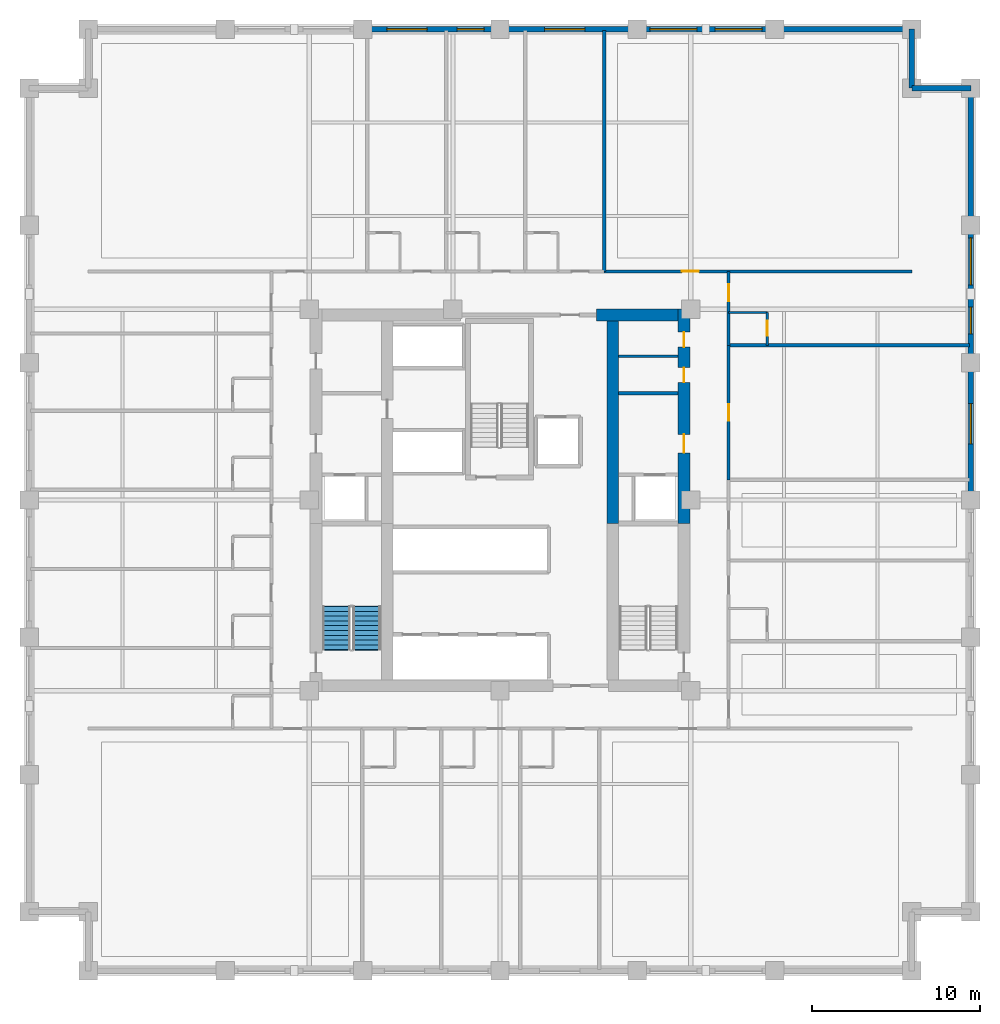
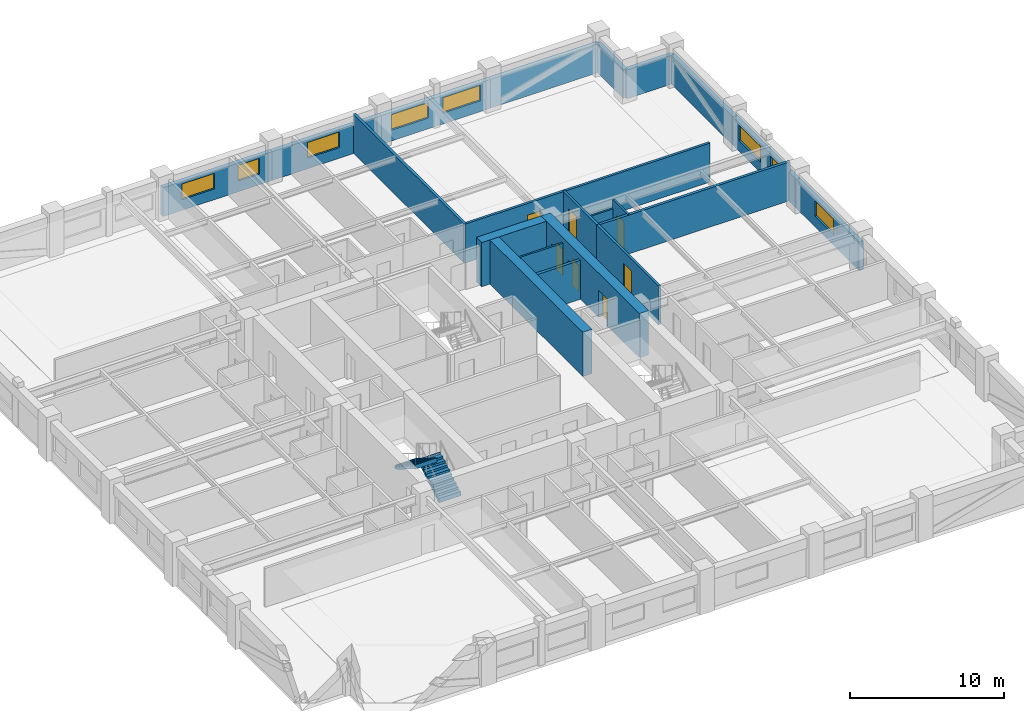
# One storey, part 6 of 12: 21 walls, 8 windows, 7 doors, 2 stair flights, 15 openings, 1 element without a shape of its own.
"""IFC4 building model written with IfcOpenShell, lengths in metres."""

import ifcopenshell
import ifcopenshell.guid

model = None  # the IFC model being written
_history = None  # IfcOwnerHistory: only IFC2X3 demands one
_inside = {}  # id of a spatial element -> (the spatial element, [elements in it])
_under = {}  # id of a project, library or spatial element -> (it, [spatial elements below it])
_declared = {}  # id of a project -> (the project, [libraries it declares])
_typed = {}  # id of a type object -> (the type object, [elements of that type])
_made_of = {}  # id of a material, layer set ... -> (it, [elements and type objects made of it])


def new_model(schema):
    """Start an empty IFC model of exactly this schema.

    Asked for "IFC4X3", IfcOpenShell would pick the latest addendum, in which some entities
    have other attributes; the version numbers below select the first issue.
    IFC2X3 requires an IfcOwnerHistory on every rooted entity: one is made here for all.
    """
    global model, _history
    if schema == "IFC4X3":
        model = ifcopenshell.file(schema_version=(4, 3, 0, 0))
    else:
        model = ifcopenshell.file(schema=schema)
    _inside.clear()
    _under.clear()
    _declared.clear()
    _typed.clear()
    _made_of.clear()
    _history = None
    if model.schema == "IFC2X3":
        org = make("IfcOrganization", Name="unknown")
        user = make(
            "IfcPersonAndOrganization",
            ThePerson=make("IfcPerson", FamilyName="unknown"),
            TheOrganization=org,
        )
        app = make(
            "IfcApplication",
            ApplicationDeveloper=org,
            Version="unknown",
            ApplicationFullName="unknown",
            ApplicationIdentifier="unknown",
        )
        _history = make(
            "IfcOwnerHistory",
            OwningUser=user,
            OwningApplication=app,
            ChangeAction="ADDED",
            CreationDate=0,
        )
    return model


def make(cls, **values):
    """One entity of the class cls with the attributes given. An attribute that is None is left unset."""
    return model.create_entity(
        cls, **{name: value for name, value in values.items() if value is not None}
    )


def rooted(cls, **values):
    """An entity with a GlobalId (a new one), such as an element, a storey or a relation."""
    return make(cls, GlobalId=ifcopenshell.guid.new(), OwnerHistory=_history, **values)


def si_unit(unit_type, name, prefix=None):
    """IfcSIUnit, for example si_unit("LENGTHUNIT", "METRE", prefix="MILLI")."""
    return make("IfcSIUnit", UnitType=unit_type, Prefix=prefix, Name=name)


def assignment(units):
    """IfcUnitAssignment: the units of a project."""
    return None if units is None else make("IfcUnitAssignment", Units=units)


def point(xyz):
    """IfcCartesianPoint."""
    return None if xyz is None else make("IfcCartesianPoint", Coordinates=xyz)


def direction(xyz):
    """IfcDirection."""
    return None if xyz is None else make("IfcDirection", DirectionRatios=xyz)


def frame(location, z_axis=None, x_axis=None):
    """IfcAxis2Placement3D, a coordinate frame: its origin and axes. An axis left out is left unset."""
    return make(
        "IfcAxis2Placement3D",
        Location=point(location),
        Axis=direction(z_axis),
        RefDirection=direction(x_axis),
    )


def frame_2d(location, x_axis=None):
    """IfcAxis2Placement2D, a coordinate frame in the plane: its origin and x axis."""
    return make(
        "IfcAxis2Placement2D", Location=point(location), RefDirection=direction(x_axis)
    )


def origin():
    """The frame at (0, 0, 0) with its axes left unset."""
    return frame((0.0, 0.0, 0.0))


def place(relative_to, where):
    """IfcLocalPlacement: puts the frame where relative to a parent placement (None: the world)."""
    return make(
        "IfcLocalPlacement", PlacementRelTo=relative_to, RelativePlacement=where
    )


def context(
    kind, dimensions, precision=None, world=None, true_north=None, identifier=None
):
    """IfcGeometricRepresentationContext, for example the 3D "Model" context."""
    return make(
        "IfcGeometricRepresentationContext",
        ContextIdentifier=identifier,
        ContextType=kind,
        CoordinateSpaceDimension=dimensions,
        Precision=precision,
        WorldCoordinateSystem=world,
        TrueNorth=true_north,
    )


def subcontext(parent, identifier, kind, view, scale=None):
    """IfcGeometricRepresentationSubContext, for example "Body" below "Model"."""
    return make(
        "IfcGeometricRepresentationSubContext",
        ContextIdentifier=identifier,
        ContextType=kind,
        ParentContext=parent,
        TargetScale=scale,
        TargetView=view,
    )


def project(units=None, contexts=None):
    """IfcProject with its units and contexts."""
    return rooted(
        "IfcProject",
        Name="project",
        RepresentationContexts=contexts,
        UnitsInContext=assignment(units),
    )


def spatial(cls, under=None, at=None, **own):
    """A site, building, storey or space (cls), placed at a placement, below another one or the project."""
    s = rooted(cls, ObjectPlacement=at, **own)
    if under is not None:
        _under.setdefault(under.id(), (under, []))[1].append(s)
    return s


def polyline(points):
    """IfcPolyline through the points."""
    return make("IfcPolyline", Points=[point(p) for p in points])


def profile(cls, at=None, kind="AREA", **sizes):
    """A parametric profile (cls). Its sizes go by their IFC names, for example OverallWidth=200.0."""
    return make(cls, ProfileType=kind, Position=at, **sizes)


def rectangle(**sizes):
    """IfcRectangleProfileDef."""
    return profile("IfcRectangleProfileDef", **sizes)


def outline(outer, holes=None, kind="AREA"):
    """IfcArbitraryClosedProfileDef: a profile drawn as a closed curve; with holes, ...WithVoids."""
    if holes is None:
        return make("IfcArbitraryClosedProfileDef", ProfileType=kind, OuterCurve=outer)
    return make(
        "IfcArbitraryProfileDefWithVoids",
        ProfileType=kind,
        OuterCurve=outer,
        InnerCurves=holes,
    )


def extrude(swept, where, along, depth):
    """IfcExtrudedAreaSolid: the profile swept, set in the frame where, extruded along a direction by depth."""
    return make(
        "IfcExtrudedAreaSolid",
        SweptArea=swept,
        Position=where,
        ExtrudedDirection=direction(along),
        Depth=depth,
    )


def shape(context_of_items, identifier, shape_type, items):
    """IfcShapeRepresentation: the items that make up one representation, for example the "Body"."""
    return make(
        "IfcShapeRepresentation",
        ContextOfItems=context_of_items,
        RepresentationIdentifier=identifier,
        RepresentationType=shape_type,
        Items=items,
    )


def material(Name=None, Category=None):
    """IfcMaterial."""
    return make("IfcMaterial", Name=Name, Category=Category)


def layer(
    of_material, thickness, ventilated=None, Name=None, Category=None, Priority=None
):
    """IfcMaterialLayer: one layer of a wall or slab, of a material (None: an air gap)."""
    return make(
        "IfcMaterialLayer",
        Material=of_material,
        LayerThickness=thickness,
        IsVentilated=ventilated,
        Name=Name,
        Category=Category,
        Priority=Priority,
    )


def layer_set(layers, Name=None):
    """IfcMaterialLayerSet."""
    return make("IfcMaterialLayerSet", MaterialLayers=layers, LayerSetName=Name)


def made_of(thing, what):
    """Note that an element or type object is made of a material, layer set ...; save() writes the relation."""
    if what is not None:
        _made_of.setdefault(what.id(), (what, []))[1].append(thing)
    return thing


def type_object(cls, material=None, **own):
    """A type object (cls), such as IfcWallType, which elements share."""
    return made_of(rooted(cls, **own), material)


def element(
    cls,
    number,
    at=None,
    inside=None,
    cuts=None,
    type_object=None,
    material=None,
    context=None,
    identifier="Body",
    shape_type=None,
    held_by="IfcProductDefinitionShape",
    body=None,
    shapes=None,
    **own,
):
    """One element of the class cls, such as IfcWall. Its Tag is "e" and its number.

    at: its placement. inside: the storey or other place that contains it. cuts: it is an
    opening in that element (IfcRelVoidsElement). A single representation is given by context,
    identifier, shape_type and body (its items); several are given by shapes. held_by: the class
    of the entity that holds the representations. save() writes the other relations.
    """
    e = rooted(cls, Tag="e%d" % number, ObjectPlacement=at, **own)
    if body is not None:
        shapes = [shape(context, identifier, shape_type, body)]
    if shapes is not None:
        e.Representation = make(held_by, Representations=shapes)
    if inside is not None:
        _inside.setdefault(inside.id(), (inside, []))[1].append(e)
    if cuts is not None:
        rooted(
            "IfcRelVoidsElement", RelatingBuildingElement=cuts, RelatedOpeningElement=e
        )
    if type_object is not None:
        _typed.setdefault(type_object.id(), (type_object, []))[1].append(e)
    return made_of(e, material)


def fill(opening, filler):
    """IfcRelFillsElement: the door or window that sits in an opening."""
    return rooted(
        "IfcRelFillsElement",
        RelatingOpeningElement=opening,
        RelatedBuildingElement=filler,
    )


def aggregate(whole, parts):
    """IfcRelAggregates: a whole, such as a stair, and the parts it consists of."""
    return rooted("IfcRelAggregates", RelatingObject=whole, RelatedObjects=parts)


def save(model, path):
    """Write the relations noted so far, then the file.

    IfcRelAggregates (storeys below a building ...), IfcRelContainedInSpatialStructure (elements
    in a storey), IfcRelDefinesByType, IfcRelAssociatesMaterial and IfcRelDeclares: one each for
    every whole, place, type object, material and project.
    """
    for whole, parts in _under.values():
        aggregate(whole, parts)
    for where, things in _inside.values():
        rooted(
            "IfcRelContainedInSpatialStructure",
            RelatedElements=things,
            RelatingStructure=where,
        )
    for kind, things in _typed.values():
        rooted("IfcRelDefinesByType", RelatedObjects=things, RelatingType=kind)
    for what, things in _made_of.values():
        rooted("IfcRelAssociatesMaterial", RelatedObjects=things, RelatingMaterial=what)
    for by, libraries in _declared.values():
        rooted("IfcRelDeclares", RelatingContext=by, RelatedDefinitions=libraries)
    model.write(path)


model = new_model("IFC4")

# Units and contexts
model_context = context("Model", 3, precision=1e-05, world=origin(), true_north=direction((0.0, 1.0)))
body_context = subcontext(model_context, "Body", "Model", "MODEL_VIEW")
ifc_project = project(units=[si_unit("LENGTHUNIT", "METRE"), si_unit("AREAUNIT", "SQUARE_METRE"), si_unit("VOLUMEUNIT", "CUBIC_METRE"), si_unit("PLANEANGLEUNIT", "RADIAN"), si_unit("MASSUNIT", "GRAM", prefix="KILO")], contexts=[model_context])

# Site, building, storey
site_placement = place(None, origin())
site = spatial("IfcSite", under=ifc_project, at=site_placement, CompositionType="ELEMENT")
building_placement = place(site_placement, origin())
building = spatial("IfcBuilding", under=site, at=building_placement, Name="Nhamokura Convention Tower", CompositionType="ELEMENT")
storey_placement = place(building_placement, frame((0.0, 0.0, 38.85009765625)))
storey = spatial("IfcBuildingStorey", under=building, at=storey_placement, Name="L07", CompositionType="ELEMENT", Elevation=38.85009765625)

# Walls
ifc_material_1 = material(Name="Moisture-resistant tile-backer partition", Category="masonry")
ifc_layer_1 = layer(ifc_material_1, 0.139892578125)
ifc_layer_set_1 = layer_set([ifc_layer_1], Name="BathroomWetWall_140")
wall_type_1 = type_object("IfcWallType", Name="BathroomWetWall_140", PredefinedType="STANDARD", material=ifc_layer_set_1)
wall_1_placement = place(storey_placement, frame((39.06005859375, 40.550048828125, 0.0), z_axis=(0.0, 0.0, 1.0), x_axis=(1.0, 0.0, 0.0)))
element("IfcWall", 1, at=wall_1_placement, inside=storey, type_object=wall_type_1, Name="L07 Wall INT-L07-CWNE", PredefinedType="STANDARD", context=body_context, shape_type="SweptSolid", body=[
    extrude(rectangle(XDim=3.530029296875, YDim=0.139892578125, at=frame_2d((1.76513671875, 0.0))), origin(), (0.0, 0.0, 1.0), 3.079833984375),
])
wall_2_placement = place(storey_placement, frame((45.60009765625, 43.14990234375, 0.0), z_axis=(0.0, 0.0, 1.0), x_axis=(1.0, 0.0, 0.0)))
element("IfcWall", 2, at=wall_2_placement, inside=storey, type_object=wall_type_1, Name="L07 Wall INT-L07-BW-E04N", PredefinedType="STANDARD", context=body_context, shape_type="SweptSolid", body=[
    extrude(rectangle(XDim=2.2998046875, YDim=0.139892578125, at=frame_2d((1.14990234375, 0.0))), origin(), (0.0, 0.0, 1.0), 2.375),
])

# Wall, opening, door
wall_3_placement = place(storey_placement, frame((47.89990234375, 41.199951171875, 0.0), z_axis=(0.0, 0.0, 1.0), x_axis=(0.0, 1.0, 0.0)))
wall_3 = element("IfcWall", 3, at=wall_3_placement, inside=storey, type_object=wall_type_1, Name="L07 Wall INT-L07-BW-E04E", PredefinedType="STANDARD", context=body_context, shape_type="SweptSolid", body=[
    extrude(rectangle(XDim=1.949951171875, YDim=0.139892578125, at=frame_2d((0.97509765625, 0.0))), origin(), (0.0, 0.0, 1.0), 3.079833984375),
])
opening_1_placement = place(wall_3_placement, frame((0.580078125, 0.0, 0.0)))
opening_1 = element("IfcOpeningElement", 4, at=opening_1_placement, cuts=wall_3, Name="Opening D-11", PredefinedType="OPENING", context=body_context, shape_type="SweptSolid", body=[
    extrude(rectangle(XDim=0.8798828125, YDim=2.10009765625, at=frame_2d((0.43994140625, 1.050048828125))), frame((0.0, 0.079833984375, 0.0), z_axis=(0.0, -1.0, 0.0), x_axis=(1.0, 0.0, 0.0)), (0.0, 0.0, 1.0), 0.159912109375),
])
ifc_material_2 = material(Name="Solid oak hardwood", Category="wood")
door_type_1 = type_object("IfcDoorType", Name="BathroomDoor_880", OperationType="NOTDEFINED", PredefinedType="DOOR", material=ifc_material_2)
door_1_placement = place(opening_1_placement, origin())
door_1 = element("IfcDoor", 5, at=door_1_placement, inside=storey, type_object=door_type_1, Name="L07 Guest Room En-suite Door", OperationType="SINGLE_SWING_LEFT", OverallHeight=2.10009765625, OverallWidth=0.8798828125, PredefinedType="DOOR", context=body_context, shape_type="SweptSolid", body=[
    extrude(rectangle(XDim=0.8798828125, YDim=2.10009765625, at=frame_2d((0.43994140625, 1.050048828125))), frame((0.0, 0.02490234375, 0.0), z_axis=(0.0, -1.0, 0.0), x_axis=(1.0, 0.0, 0.0)), (0.0, 0.0, 1.0), 0.050048828125),
])
fill(opening_1, door_1)

# Wall, openings, windows
ifc_material_3 = material(Name="Bronze-pigmented precast concrete C45/55", Category="concrete")
ifc_layer_2 = layer(ifc_material_3, 0.320068359375)
ifc_layer_set_2 = layer_set([ifc_layer_2], Name="BronzePrecastSpandrel_320")
wall_type_2 = type_object("IfcWallType", Name="BronzePrecastSpandrel_320", PredefinedType="USERDEFINED", material=ifc_layer_set_2)
wall_4_placement = place(storey_placement, frame((23.833251953125, 60.0, 0.0), z_axis=(0.0, 0.0, 1.0), x_axis=(1.0, 0.0, 0.0)))
wall_4 = element("IfcWall", 6, at=wall_4_placement, inside=storey, type_object=wall_type_2, Name="L07 Masonry-Frame Wall NORTH 2", ObjectType="SPANDREL_WALL", PredefinedType="USERDEFINED", context=body_context, shape_type="SweptSolid", body=[
    extrude(rectangle(XDim=8.166748046875, YDim=0.320068359375, at=frame_2d((4.08349609375, 0.0))), origin(), (0.0, 0.0, 1.0), 2.27978515625),
])
opening_2_placement = place(wall_4_placement, frame((1.433349609375, 0.0, 0.85009765625)))
opening_2 = element("IfcOpeningElement", 7, at=opening_2_placement, cuts=wall_4, Name="Opening W-03", PredefinedType="OPENING", context=body_context, shape_type="SweptSolid", body=[
    extrude(rectangle(XDim=2.39990234375, YDim=1.22998046875, at=frame_2d((1.199951171875, 0.614990234375))), frame((0.0, 0.169921875, 0.0), z_axis=(0.0, -1.0, 0.0), x_axis=(1.0, 0.0, 0.0)), (0.0, 0.0, 1.0), 0.340087890625),
])
opening_3_placement = place(wall_4_placement, frame((5.61669921875, 0.0, 0.85009765625)))
opening_3 = element("IfcOpeningElement", 8, at=opening_3_placement, cuts=wall_4, Name="Opening W-11", PredefinedType="OPENING", context=body_context, shape_type="SweptSolid", body=[
    extrude(rectangle(XDim=1.60009765625, YDim=1.22998046875, at=frame_2d((0.800048828125, 0.614990234375))), frame((0.0, 0.169921875, 0.0), z_axis=(0.0, -1.0, 0.0), x_axis=(1.0, 0.0, 0.0)), (0.0, 0.0, 1.0), 0.340087890625),
])
ifc_material_4 = material(Name="Solar-control bronze low-E double glass", Category="glass")
window_type_1 = type_object("IfcWindowType", Name="HotelBayWindow_2400", PartitioningType="DOUBLE_PANEL_VERTICAL", PredefinedType="WINDOW", material=ifc_material_4)
window_1_placement = place(opening_2_placement, origin())
window_1 = element("IfcWindow", 9, at=window_1_placement, inside=storey, type_object=window_type_1, Name="L07 Facade Window NORTH 2-1", OverallHeight=1.22998046875, OverallWidth=2.39990234375, PartitioningType="SINGLE_PANEL", PredefinedType="WINDOW", context=body_context, shape_type="SweptSolid", body=[
    extrude(rectangle(XDim=2.39990234375, YDim=1.22998046875, at=frame_2d((1.199951171875, 0.614990234375))), frame((0.0, 0.030029296875, 0.0), z_axis=(0.0, -1.0, 0.0), x_axis=(1.0, 0.0, 0.0)), (0.0, 0.0, 1.0), 0.06005859375),
])
fill(opening_2, window_1)
ifc_material_5 = material(Name="Solar-control bronze low-E double glass", Category="glass")
window_type_2 = type_object("IfcWindowType", Name="NotchCornerWindow_1600", PartitioningType="SINGLE_PANEL", PredefinedType="WINDOW", material=ifc_material_5)
window_2_placement = place(opening_3_placement, origin())
window_2 = element("IfcWindow", 10, at=window_2_placement, inside=storey, type_object=window_type_2, Name="L07 Facade Window NORTH 2-2", OverallHeight=1.22998046875, OverallWidth=1.60009765625, PartitioningType="SINGLE_PANEL", PredefinedType="WINDOW", context=body_context, shape_type="SweptSolid", body=[
    extrude(rectangle(XDim=1.60009765625, YDim=1.22998046875, at=frame_2d((0.800048828125, 0.614990234375))), frame((0.0, 0.030029296875, 0.0), z_axis=(0.0, -1.0, 0.0), x_axis=(1.0, 0.0, 0.0)), (0.0, 0.0, 1.0), 0.06005859375),
])
fill(opening_3, window_2)

# Wall, opening, window
wall_5_placement = place(storey_placement, frame((32.0, 60.0, 0.0), z_axis=(0.0, 0.0, 1.0), x_axis=(1.0, 0.0, 0.0)))
wall_5 = element("IfcWall", 11, at=wall_5_placement, inside=storey, type_object=wall_type_2, Name="L07 Masonry-Frame Wall NORTH 3", ObjectType="SPANDREL_WALL", PredefinedType="USERDEFINED", context=body_context, shape_type="SweptSolid", body=[
    extrude(rectangle(XDim=8.166748046875, YDim=0.320068359375, at=frame_2d((4.08349609375, 0.0))), origin(), (0.0, 0.0, 1.0), 2.27978515625),
])
opening_4_placement = place(wall_5_placement, frame((2.64990234375, 0.0, 0.85009765625)))
opening_4 = element("IfcOpeningElement", 12, at=opening_4_placement, cuts=wall_5, Name="Opening W-03", PredefinedType="OPENING", context=body_context, shape_type="SweptSolid", body=[
    extrude(rectangle(XDim=2.39990234375, YDim=1.22998046875, at=frame_2d((1.199951171875, 0.614990234375))), frame((0.0, 0.169921875, 0.0), z_axis=(0.0, -1.0, 0.0), x_axis=(1.0, 0.0, 0.0)), (0.0, 0.0, 1.0), 0.340087890625),
])
window_3_placement = place(opening_4_placement, origin())
window_3 = element("IfcWindow", 13, at=window_3_placement, inside=storey, type_object=window_type_1, Name="L07 Facade Window NORTH 3-2", OverallHeight=1.22998046875, OverallWidth=2.39990234375, PartitioningType="SINGLE_PANEL", PredefinedType="WINDOW", context=body_context, shape_type="SweptSolid", body=[
    extrude(rectangle(XDim=2.39990234375, YDim=1.22998046875, at=frame_2d((1.199951171875, 0.614990234375))), frame((0.0, 0.030029296875, 0.0), z_axis=(0.0, -1.0, 0.0), x_axis=(1.0, 0.0, 0.0)), (0.0, 0.0, 1.0), 0.06005859375),
])
fill(opening_4, window_3)

# Wall, openings, windows
wall_6_placement = place(storey_placement, frame((40.166748046875, 60.0, 0.0), z_axis=(0.0, 0.0, 1.0), x_axis=(1.0, 0.0, 0.0)))
wall_6 = element("IfcWall", 14, at=wall_6_placement, inside=storey, type_object=wall_type_2, Name="L07 Masonry-Frame Wall NORTH 4", ObjectType="SPANDREL_WALL", PredefinedType="USERDEFINED", context=body_context, shape_type="SweptSolid", body=[
    extrude(rectangle(XDim=8.16650390625, YDim=0.320068359375, at=frame_2d((4.083251953125, 0.0))), origin(), (0.0, 0.0, 1.0), 2.27978515625),
])
opening_5_placement = place(wall_6_placement, frame((0.74169921875, 0.0, 0.85009765625)))
opening_5 = element("IfcOpeningElement", 15, at=opening_5_placement, cuts=wall_6, Name="Opening W-04", PredefinedType="OPENING", context=body_context, shape_type="SweptSolid", body=[
    extrude(rectangle(XDim=2.800048828125, YDim=1.22998046875, at=frame_2d((1.39990234375, 0.614990234375))), frame((0.0, 0.169921875, 0.0), z_axis=(0.0, -1.0, 0.0), x_axis=(1.0, 0.0, 0.0)), (0.0, 0.0, 1.0), 0.340087890625),
])
opening_6_placement = place(wall_6_placement, frame((4.625, 0.0, 0.85009765625)))
opening_6 = element("IfcOpeningElement", 16, at=opening_6_placement, cuts=wall_6, Name="Opening W-04", PredefinedType="OPENING", context=body_context, shape_type="SweptSolid", body=[
    extrude(rectangle(XDim=2.800048828125, YDim=1.22998046875, at=frame_2d((1.39990234375, 0.614990234375))), frame((0.0, 0.169921875, 0.0), z_axis=(0.0, -1.0, 0.0), x_axis=(1.0, 0.0, 0.0)), (0.0, 0.0, 1.0), 0.340087890625),
])
ifc_material_6 = material(Name="Solar-control bronze low-E double glass", Category="glass")
window_type_3 = type_object("IfcWindowType", Name="HotelSuiteWindow_2800", PartitioningType="DOUBLE_PANEL_VERTICAL", PredefinedType="WINDOW", material=ifc_material_6)
window_4_placement = place(opening_5_placement, origin())
window_4 = element("IfcWindow", 17, at=window_4_placement, inside=storey, type_object=window_type_3, Name="L07 Facade Window NORTH 4-1", OverallHeight=1.22998046875, OverallWidth=2.800048828125, PartitioningType="SINGLE_PANEL", PredefinedType="WINDOW", context=body_context, shape_type="SweptSolid", body=[
    extrude(rectangle(XDim=2.800048828125, YDim=1.22998046875, at=frame_2d((1.39990234375, 0.614990234375))), frame((0.0, 0.030029296875, 0.0), z_axis=(0.0, -1.0, 0.0), x_axis=(1.0, 0.0, 0.0)), (0.0, 0.0, 1.0), 0.06005859375),
])
fill(opening_5, window_4)
window_5_placement = place(opening_6_placement, origin())
window_5 = element("IfcWindow", 18, at=window_5_placement, inside=storey, type_object=window_type_3, Name="L07 Facade Window NORTH 4-2", OverallHeight=1.22998046875, OverallWidth=2.800048828125, PartitioningType="SINGLE_PANEL", PredefinedType="WINDOW", context=body_context, shape_type="SweptSolid", body=[
    extrude(rectangle(XDim=2.800048828125, YDim=1.22998046875, at=frame_2d((1.39990234375, 0.614990234375))), frame((0.0, 0.030029296875, 0.0), z_axis=(0.0, -1.0, 0.0), x_axis=(1.0, 0.0, 0.0)), (0.0, 0.0, 1.0), 0.06005859375),
])
fill(opening_6, window_5)

# Wall
wall_7_placement = place(storey_placement, frame((48.333251953125, 60.0, 0.0), z_axis=(0.0, 0.0, 1.0), x_axis=(1.0, 0.0, 0.0)))
element("IfcWall", 19, at=wall_7_placement, inside=storey, type_object=wall_type_2, Name="L07 Braced-Bay Precast Wall NORTH 5", ObjectType="SPANDREL_WALL", PredefinedType="USERDEFINED", context=body_context, shape_type="SweptSolid", body=[
    extrude(rectangle(XDim=8.166748046875, YDim=0.320068359375, at=frame_2d((4.08349609375, 0.0))), origin(), (0.0, 0.0, 1.0), 2.27978515625),
])

# Wall, opening, window
wall_8_placement = place(storey_placement, frame((60.0, 40.166748046875, 0.0), z_axis=(0.0, 0.0, 1.0), x_axis=(0.0, -1.0, 0.0)))
wall_8 = element("IfcWall", 20, at=wall_8_placement, inside=storey, type_object=wall_type_2, Name="L07 Masonry-Frame Wall EAST 3", ObjectType="SPANDREL_WALL", PredefinedType="USERDEFINED", context=body_context, shape_type="SweptSolid", body=[
    extrude(rectangle(XDim=8.166748046875, YDim=0.320068359375, at=frame_2d((4.08349609375, 0.0))), origin(), (0.0, 0.0, 1.0), 2.27978515625),
])
opening_7_placement = place(wall_8_placement, frame((2.433349609375, 0.0, 0.85009765625)))
opening_7 = element("IfcOpeningElement", 21, at=opening_7_placement, cuts=wall_8, Name="Opening W-03", PredefinedType="OPENING", context=body_context, shape_type="SweptSolid", body=[
    extrude(rectangle(XDim=2.39990234375, YDim=1.22998046875, at=frame_2d((1.199951171875, 0.614990234375))), frame((0.0, 0.169921875, 0.0), z_axis=(0.0, -1.0, 0.0), x_axis=(1.0, 0.0, 0.0)), (0.0, 0.0, 1.0), 0.340087890625),
])
window_6_placement = place(opening_7_placement, origin())
window_6 = element("IfcWindow", 22, at=window_6_placement, inside=storey, type_object=window_type_1, Name="L07 Facade Window EAST 3-1", OverallHeight=1.22998046875, OverallWidth=2.39990234375, PartitioningType="SINGLE_PANEL", PredefinedType="WINDOW", context=body_context, shape_type="SweptSolid", body=[
    extrude(rectangle(XDim=2.39990234375, YDim=1.22998046875, at=frame_2d((1.199951171875, 0.614990234375))), frame((0.0, 0.030029296875, 0.0), z_axis=(0.0, -1.0, 0.0), x_axis=(1.0, 0.0, 0.0)), (0.0, 0.0, 1.0), 0.06005859375),
])
fill(opening_7, window_6)

# Wall, openings, windows
wall_9_placement = place(storey_placement, frame((60.0, 48.333251953125, 0.0), z_axis=(0.0, 0.0, 1.0), x_axis=(0.0, -1.0, 0.0)))
wall_9 = element("IfcWall", 23, at=wall_9_placement, inside=storey, type_object=wall_type_2, Name="L07 Masonry-Frame Wall EAST 4", ObjectType="SPANDREL_WALL", PredefinedType="USERDEFINED", context=body_context, shape_type="SweptSolid", body=[
    extrude(rectangle(XDim=8.16650390625, YDim=0.320068359375, at=frame_2d((4.083251953125, 0.0))), origin(), (0.0, 0.0, 1.0), 2.27978515625),
])
opening_8_placement = place(wall_9_placement, frame((0.74169921875, 0.0, 0.85009765625)))
opening_8 = element("IfcOpeningElement", 24, at=opening_8_placement, cuts=wall_9, Name="Opening W-04", PredefinedType="OPENING", context=body_context, shape_type="SweptSolid", body=[
    extrude(rectangle(XDim=2.800048828125, YDim=1.22998046875, at=frame_2d((1.39990234375, 0.614990234375))), frame((0.0, 0.169921875, 0.0), z_axis=(0.0, -1.0, 0.0), x_axis=(1.0, 0.0, 0.0)), (0.0, 0.0, 1.0), 0.340087890625),
])
opening_9_placement = place(wall_9_placement, frame((4.8583984375, 0.0, 0.85009765625)))
opening_9 = element("IfcOpeningElement", 25, at=opening_9_placement, cuts=wall_9, Name="Opening W-11", PredefinedType="OPENING", context=body_context, shape_type="SweptSolid", body=[
    extrude(rectangle(XDim=1.60009765625, YDim=1.22998046875, at=frame_2d((0.800048828125, 0.614990234375))), frame((0.0, 0.169921875, 0.0), z_axis=(0.0, -1.0, 0.0), x_axis=(1.0, 0.0, 0.0)), (0.0, 0.0, 1.0), 0.340087890625),
])
window_7_placement = place(opening_8_placement, origin())
window_7 = element("IfcWindow", 26, at=window_7_placement, inside=storey, type_object=window_type_3, Name="L07 Facade Window EAST 4-1", OverallHeight=1.22998046875, OverallWidth=2.800048828125, PartitioningType="SINGLE_PANEL", PredefinedType="WINDOW", context=body_context, shape_type="SweptSolid", body=[
    extrude(rectangle(XDim=2.800048828125, YDim=1.22998046875, at=frame_2d((1.39990234375, 0.614990234375))), frame((0.0, 0.030029296875, 0.0), z_axis=(0.0, -1.0, 0.0), x_axis=(1.0, 0.0, 0.0)), (0.0, 0.0, 1.0), 0.06005859375),
])
fill(opening_8, window_7)
window_8_placement = place(opening_9_placement, origin())
window_8 = element("IfcWindow", 27, at=window_8_placement, inside=storey, type_object=window_type_2, Name="L07 Facade Window EAST 4-2", OverallHeight=1.22998046875, OverallWidth=1.60009765625, PartitioningType="SINGLE_PANEL", PredefinedType="WINDOW", context=body_context, shape_type="SweptSolid", body=[
    extrude(rectangle(XDim=1.60009765625, YDim=1.22998046875, at=frame_2d((0.800048828125, 0.614990234375))), frame((0.0, 0.030029296875, 0.0), z_axis=(0.0, -1.0, 0.0), x_axis=(1.0, 0.0, 0.0)), (0.0, 0.0, 1.0), 0.06005859375),
])
fill(opening_9, window_8)

# Walls
wall_10_placement = place(storey_placement, frame((60.0, 56.5, 0.0), z_axis=(0.0, 0.0, 1.0), x_axis=(0.0, -1.0, 0.0)))
element("IfcWall", 28, at=wall_10_placement, inside=storey, type_object=wall_type_2, Name="L07 Braced-Bay Precast Wall EAST 5", ObjectType="SPANDREL_WALL", PredefinedType="USERDEFINED", context=body_context, shape_type="SweptSolid", body=[
    extrude(rectangle(XDim=8.166748046875, YDim=0.320068359375, at=frame_2d((4.08349609375, 0.0))), origin(), (0.0, 0.0, 1.0), 2.27978515625),
])
for number, where, z_axis, x_axis, name in (
    (29, (56.5, 56.5, 0.0), (0.0, 0.0, 1.0), (1.0, 0.0, 0.0), "L07 Notched Corner Wall NE1"),
    (30, (56.5, 60.0, 0.0), (0.0, 0.0, 1.0), (0.0, -1.0, 0.0), "L07 Notched Corner Wall NE2"),
):
    element("IfcWall", number, at=place(storey_placement, frame(where, z_axis=z_axis, x_axis=x_axis)), inside=storey, type_object=wall_type_2, Name=name, ObjectType="SPANDREL_WALL", PredefinedType="USERDEFINED", context=body_context, shape_type="SweptSolid", body=[
        extrude(rectangle(XDim=3.5, YDim=0.320068359375, at=frame_2d((1.75, 0.0))), origin(), (0.0, 0.0, 1.0), 2.27978515625),
    ])

# Wall, openings, doors
ifc_material_7 = material(Name="Concrete C70/85", Category="concrete")
ifc_layer_3 = layer(ifc_material_7, 0.699951171875)
ifc_layer_set_3 = layer_set([ifc_layer_3], Name="CoreShearWall_700")
wall_type_3 = type_object("IfcWallType", Name="CoreShearWall_700", PredefinedType="SHEAR", material=ifc_layer_set_3)
wall_11_placement = place(storey_placement, frame((42.93994140625, 30.60009765625, 0.0), z_axis=(0.0, 0.0, 1.0), x_axis=(0.0, 1.0, 0.0)))
wall_11 = element("IfcWall", 31, at=wall_11_placement, inside=storey, type_object=wall_type_3, Name="L07 Core Shear Wall CW-EN", PredefinedType="SHEAR", context=body_context, shape_type="SweptSolid", body=[
    extrude(rectangle(XDim=12.75, YDim=0.699951171875, at=frame_2d((6.375, 0.0))), origin(), (0.0, 0.0, 1.0), 3.5),
])
opening_10_placement = place(wall_11_placement, frame((4.199951171875, 0.0, 0.0)))
opening_10 = element("IfcOpeningElement", 32, at=opening_10_placement, cuts=wall_11, Name="Opening D-05", PredefinedType="OPENING", context=body_context, shape_type="SweptSolid", body=[
    extrude(rectangle(XDim=1.10009765625, YDim=2.14990234375, at=frame_2d((0.550048828125, 1.074951171875))), frame((0.0, 0.35986328125, 0.0), z_axis=(0.0, -1.0, 0.0), x_axis=(1.0, 0.0, 0.0)), (0.0, 0.0, 1.0), 0.719970703125),
])
opening_11_placement = place(wall_11_placement, frame((8.39990234375, 0.0, 0.0)))
opening_11 = element("IfcOpeningElement", 33, at=opening_11_placement, cuts=wall_11, Name="Opening D-11", PredefinedType="OPENING", context=body_context, shape_type="SweptSolid", body=[
    extrude(rectangle(XDim=0.8798828125, YDim=2.10009765625, at=frame_2d((0.43994140625, 1.050048828125))), frame((0.0, 0.35986328125, 0.0), z_axis=(0.0, -1.0, 0.0), x_axis=(1.0, 0.0, 0.0)), (0.0, 0.0, 1.0), 0.719970703125),
])
opening_12_placement = place(wall_11_placement, frame((10.5, 0.0, 0.0)))
opening_12 = element("IfcOpeningElement", 34, at=opening_12_placement, cuts=wall_11, Name="Opening D-11", PredefinedType="OPENING", context=body_context, shape_type="SweptSolid", body=[
    extrude(rectangle(XDim=0.8798828125, YDim=2.10009765625, at=frame_2d((0.43994140625, 1.050048828125))), frame((0.0, 0.35986328125, 0.0), z_axis=(0.0, -1.0, 0.0), x_axis=(1.0, 0.0, 0.0)), (0.0, 0.0, 1.0), 0.719970703125),
])
door_2_placement = place(opening_11_placement, origin())
door_2 = element("IfcDoor", 35, at=door_2_placement, inside=storey, type_object=door_type_1, Name="L07 Core Door INT-L07-D-MWC", OperationType="SINGLE_SWING_RIGHT", OverallHeight=2.10009765625, OverallWidth=0.8798828125, PredefinedType="DOOR", context=body_context, shape_type="SweptSolid", body=[
    extrude(rectangle(XDim=0.8798828125, YDim=2.10009765625, at=frame_2d((0.43994140625, 1.050048828125))), frame((0.0, 0.02490234375, 0.0), z_axis=(0.0, -1.0, 0.0), x_axis=(1.0, 0.0, 0.0)), (0.0, 0.0, 1.0), 0.050048828125),
])
fill(opening_11, door_2)
door_3_placement = place(opening_12_placement, origin())
door_3 = element("IfcDoor", 36, at=door_3_placement, inside=storey, type_object=door_type_1, Name="L07 Core Door INT-L07-D-FWC", OperationType="SINGLE_SWING_LEFT", OverallHeight=2.10009765625, OverallWidth=0.8798828125, PredefinedType="DOOR", context=body_context, shape_type="SweptSolid", body=[
    extrude(rectangle(XDim=0.8798828125, YDim=2.10009765625, at=frame_2d((0.43994140625, 1.050048828125))), frame((0.0, 0.02490234375, 0.0), z_axis=(0.0, -1.0, 0.0), x_axis=(1.0, 0.0, 0.0)), (0.0, 0.0, 1.0), 0.050048828125),
])
fill(opening_12, door_3)
ifc_material_8 = material(Name="Fire-rated steel door", Category="steel")
door_type_2 = type_object("IfcDoorType", Name="FireLobbyDoor_1100", OperationType="NOTDEFINED", PredefinedType="DOOR", material=ifc_material_8)
door_4_placement = place(opening_10_placement, origin())
door_4 = element("IfcDoor", 37, at=door_4_placement, inside=storey, type_object=door_type_2, Name="L07 Core Door INT-L07-D-FFLE", OperationType="SINGLE_SWING_LEFT", OverallHeight=2.14990234375, OverallWidth=1.10009765625, PredefinedType="DOOR", context=body_context, shape_type="SweptSolid", body=[
    extrude(rectangle(XDim=1.10009765625, YDim=2.14990234375, at=frame_2d((0.550048828125, 1.074951171875))), frame((0.0, 0.02490234375, 0.0), z_axis=(0.0, -1.0, 0.0), x_axis=(1.0, 0.0, 0.0)), (0.0, 0.0, 1.0), 0.050048828125),
])
fill(opening_10, door_4)

# Walls
wall_12_placement = place(storey_placement, frame((37.75, 43.0, 0.0), z_axis=(0.0, 0.0, 1.0), x_axis=(1.0, 0.0, 0.0)))
element("IfcWall", 38, at=wall_12_placement, inside=storey, type_object=wall_type_3, Name="L07 Core Shear Wall CW-N2", PredefinedType="SHEAR", context=body_context, shape_type="SweptSolid", body=[
    extrude(rectangle(XDim=4.840087890625, YDim=0.699951171875, at=frame_2d((2.419921875, 0.0))), origin(), (0.0, 0.0, 1.0), 3.5),
])
wall_13_placement = place(storey_placement, frame((38.7099609375, 30.60009765625, 0.0), z_axis=(0.0, 0.0, 1.0), x_axis=(0.0, 1.0, 0.0)))
element("IfcWall", 39, at=wall_13_placement, inside=storey, type_object=wall_type_3, Name="L07 Core Shear Wall CW-IEN", PredefinedType="SHEAR", context=body_context, shape_type="SweptSolid", body=[
    extrude(rectangle(XDim=12.0498046875, YDim=0.699951171875, at=frame_2d((6.02490234375, 0.0))), origin(), (0.0, 0.0, 1.0), 3.5),
])

# Wall, opening, door
ifc_material_9 = material(Name="Fire-rated gypsum and masonry partition", Category="masonry")
ifc_layer_4 = layer(ifc_material_9, 0.179931640625)
ifc_layer_set_4 = layer_set([ifc_layer_4], Name="CorridorRatedWall_180")
wall_type_4 = type_object("IfcWallType", Name="CorridorRatedWall_180", PredefinedType="STANDARD", material=ifc_layer_set_4)
wall_14_placement = place(storey_placement, frame((38.199951171875, 45.60009765625, 0.0), z_axis=(0.0, 0.0, 1.0), x_axis=(1.0, 0.0, 0.0)))
wall_14 = element("IfcWall", 40, at=wall_14_placement, inside=storey, type_object=wall_type_4, Name="L07 Wall INT-L07-CW-N04", PredefinedType="STANDARD", context=body_context, shape_type="SweptSolid", body=[
    extrude(rectangle(XDim=18.300048828125, YDim=0.179931640625, at=frame_2d((9.14990234375, 0.0))), origin(), (0.0, 0.0, 1.0), 3.079833984375),
])
opening_13_placement = place(wall_14_placement, frame((4.625, 0.0, 0.0)))
opening_13 = element("IfcOpeningElement", 41, at=opening_13_placement, cuts=wall_14, Name="Opening D-07", PredefinedType="OPENING", context=body_context, shape_type="SweptSolid", body=[
    extrude(rectangle(XDim=1.0, YDim=2.14990234375, at=frame_2d((0.5, 1.074951171875))), frame((0.0, 0.099853515625, 0.0), z_axis=(0.0, -1.0, 0.0), x_axis=(1.0, 0.0, 0.0)), (0.0, 0.0, 1.0), 0.199951171875),
])
ifc_material_10 = material(Name="Solid oak hardwood", Category="wood")
door_type_3 = type_object("IfcDoorType", Name="HotelSuiteEntryDoor_1000", OperationType="NOTDEFINED", PredefinedType="DOOR", material=ifc_material_10)
door_5_placement = place(opening_13_placement, origin())
door_5 = element("IfcDoor", 42, at=door_5_placement, inside=storey, type_object=door_type_3, Name="L07 Conference Salon N05 Door", OperationType="SINGLE_SWING_LEFT", OverallHeight=2.14990234375, OverallWidth=1.0, PredefinedType="DOOR", context=body_context, shape_type="SweptSolid", body=[
    extrude(rectangle(XDim=1.0, YDim=2.14990234375, at=frame_2d((0.5, 1.074951171875))), frame((0.0, 0.02490234375, 0.0), z_axis=(0.0, -1.0, 0.0), x_axis=(1.0, 0.0, 0.0)), (0.0, 0.0, 1.0), 0.050048828125),
])
fill(opening_13, door_5)

wall_15_placement = place(storey_placement, frame((45.60009765625, 33.199951171875, 0.0), z_axis=(0.0, 0.0, 1.0), x_axis=(0.0, 1.0, 0.0)))
wall_15 = element("IfcWall", 43, at=wall_15_placement, inside=storey, type_object=wall_type_4, Name="L07 Wall INT-L07-CW-E03", PredefinedType="STANDARD", context=body_context, shape_type="SweptSolid", body=[
    extrude(rectangle(XDim=8.0, YDim=0.179931640625, at=frame_2d((4.0, 0.0))), origin(), (0.0, 0.0, 1.0), 3.079833984375),
])
opening_14_placement = place(wall_15_placement, frame((3.5, 0.0, 0.0)))
opening_14 = element("IfcOpeningElement", 44, at=opening_14_placement, cuts=wall_15, Name="Opening D-07", PredefinedType="OPENING", context=body_context, shape_type="SweptSolid", body=[
    extrude(rectangle(XDim=1.0, YDim=2.14990234375, at=frame_2d((0.5, 1.074951171875))), frame((0.0, 0.099853515625, 0.0), z_axis=(0.0, -1.0, 0.0), x_axis=(1.0, 0.0, 0.0)), (0.0, 0.0, 1.0), 0.199951171875),
])
door_6_placement = place(opening_14_placement, origin())
door_6 = element("IfcDoor", 45, at=door_6_placement, inside=storey, type_object=door_type_3, Name="L07 Conference Salon E04 Door", OperationType="SINGLE_SWING_RIGHT", OverallHeight=2.14990234375, OverallWidth=1.0, PredefinedType="DOOR", context=body_context, shape_type="SweptSolid", body=[
    extrude(rectangle(XDim=1.0, YDim=2.14990234375, at=frame_2d((0.5, 1.074951171875))), frame((0.0, 0.02490234375, 0.0), z_axis=(0.0, -1.0, 0.0), x_axis=(1.0, 0.0, 0.0)), (0.0, 0.0, 1.0), 0.050048828125),
])
fill(opening_14, door_6)

wall_16_placement = place(storey_placement, frame((45.60009765625, 41.199951171875, 0.0), z_axis=(0.0, 0.0, 1.0), x_axis=(0.0, 1.0, 0.0)))
wall_16 = element("IfcWall", 46, at=wall_16_placement, inside=storey, type_object=wall_type_4, Name="L07 Wall INT-L07-CW-E04", PredefinedType="STANDARD", context=body_context, shape_type="SweptSolid", body=[
    extrude(rectangle(XDim=4.400146484375, YDim=0.179931640625, at=frame_2d((2.2001953125, 0.0))), origin(), (0.0, 0.0, 1.0), 3.079833984375),
])
opening_15_placement = place(wall_16_placement, frame((2.625, 0.0, 0.0)))
opening_15 = element("IfcOpeningElement", 47, at=opening_15_placement, cuts=wall_16, Name="Opening D-07", PredefinedType="OPENING", context=body_context, shape_type="SweptSolid", body=[
    extrude(rectangle(XDim=1.0, YDim=2.14990234375, at=frame_2d((0.5, 1.074951171875))), frame((0.0, 0.099853515625, 0.0), z_axis=(0.0, -1.0, 0.0), x_axis=(1.0, 0.0, 0.0)), (0.0, 0.0, 1.0), 0.199951171875),
])
door_7_placement = place(opening_15_placement, origin())
door_7 = element("IfcDoor", 48, at=door_7_placement, inside=storey, type_object=door_type_3, Name="L07 Guest Room E05 Door", OperationType="SINGLE_SWING_LEFT", OverallHeight=2.14990234375, OverallWidth=1.0, PredefinedType="DOOR", context=body_context, shape_type="SweptSolid", body=[
    extrude(rectangle(XDim=1.0, YDim=2.14990234375, at=frame_2d((0.5, 1.074951171875))), frame((0.0, 0.02490234375, 0.0), z_axis=(0.0, -1.0, 0.0), x_axis=(1.0, 0.0, 0.0)), (0.0, 0.0, 1.0), 0.050048828125),
])
fill(opening_15, door_7)

# Walls
ifc_material_11 = material(Name="Autoclaved concrete blockwork", Category="masonry")
ifc_layer_5 = layer(ifc_material_11, 0.219970703125)
ifc_layer_set_5 = layer_set([ifc_layer_5], Name="FireLobbyWall_220")
wall_type_5 = type_object("IfcWallType", Name="FireLobbyWall_220", PredefinedType="STANDARD", material=ifc_layer_set_5)
wall_17_placement = place(storey_placement, frame((39.06005859375, 38.35009765625, 0.0), z_axis=(0.0, 0.0, 1.0), x_axis=(1.0, 0.0, 0.0)))
element("IfcWall", 49, at=wall_17_placement, inside=storey, type_object=wall_type_5, Name="L07 Wall INT-L07-FFE-N", PredefinedType="STANDARD", context=body_context, shape_type="SweptSolid", body=[
    extrude(rectangle(XDim=3.530029296875, YDim=0.219970703125, at=frame_2d((1.76513671875, 0.0))), origin(), (0.0, 0.0, 1.0), 3.079833984375),
])
ifc_material_12 = material(Name="Acoustic twin-stud gypsum partition", Category="masonry")
ifc_layer_6 = layer(ifc_material_12, 0.199951171875)
ifc_layer_set_6 = layer_set([ifc_layer_6], Name="HotelDemisingWall_200")
wall_type_6 = type_object("IfcWallType", Name="HotelDemisingWall_200", PredefinedType="STANDARD", material=ifc_layer_set_6)
for number, where, z_axis, x_axis, name in (
    (50, (38.199951171875, 45.60009765625, 0.0), (0.0, 0.0, 1.0), (0.0, 1.0, 0.0), "L07 Wall INT-L07-RW-N04"),
    (51, (45.60009765625, 41.199951171875, 0.0), (0.0, 0.0, 1.0), (1.0, 0.0, 0.0), "L07 Wall INT-L07-RW-E04"),
):
    element("IfcWall", number, at=place(storey_placement, frame(where, z_axis=z_axis, x_axis=x_axis)), inside=storey, type_object=wall_type_6, Name=name, PredefinedType="STANDARD", context=body_context, shape_type="SweptSolid", body=[
        extrude(rectangle(XDim=14.33984375, YDim=0.199951171875, at=frame_2d((7.169921875, 0.0))), origin(), (0.0, 0.0, 1.0), 3.079833984375),
    ])

# Stair, stair flights
ifc_material_13 = material(Name="Concrete C40/50", Category="concrete")
stair_type = type_object("IfcStairType", Name="TowerCoreStair_1650", PredefinedType="HALF_TURN_STAIR", material=ifc_material_13)
stair_placement = place(storey_placement, origin())
stair = element("IfcStair", 52, at=stair_placement, inside=storey, type_object=stair_type, Name="L07 West Core Smokeproof Stair ST-01", PredefinedType="HALF_TURN_STAIR")
ifc_material_14 = material(Name="Concrete C40/50", Category="concrete")
stair_flight_type = type_object("IfcStairFlightType", Name="TowerCoreStair_1650_Flight", PredefinedType="STRAIGHT", material=ifc_material_14)
stair_flight_1_placement = place(storey_placement, frame((24.074951171875, 23.10009765625, 0.0), z_axis=(0.0, 0.0, 1.0), x_axis=(0.0, 1.0, 0.0)))
stair_flight_1 = element("IfcStairFlight", 53, at=stair_flight_1_placement, type_object=stair_flight_type, Name="ST-01 flight 1", NumberOfRisers=10, NumberOfTreads=9, PredefinedType="STRAIGHT", RiserHeight=0.175, TreadLength=0.285, context=body_context, shape_type="SweptSolid", body=[
    extrude(outline(polyline([(-0.0419921875, 0.0), (0.0, 0.175048828125), (0.284912109375, 0.175048828125), (0.284912109375, 0.35009765625), (0.570068359375, 0.35009765625), (0.570068359375, 0.52490234375), (0.85498046875, 0.52490234375), (0.85498046875, 0.699951171875), (1.139892578125, 0.699951171875), (1.139892578125, 0.875), (1.425048828125, 0.875), (1.425048828125, 1.050048828125), (1.7099609375, 1.050048828125), (1.7099609375, 1.22509765625), (1.9951171875, 1.22509765625), (1.9951171875, 1.39990234375), (2.280029296875, 1.39990234375), (2.280029296875, 1.574951171875), (2.56494140625, 1.574951171875), (2.56494140625, 1.75), (2.60693359375, 1.75), (2.60693359375, 1.399169921875), (2.56494140625, 1.399169921875), (0.286376953125, 0.0), (0.02001953125, -0.1298828125), (-0.0419921875, -0.1298828125), (-0.0419921875, 0.0)])), frame((0.0, 0.824951171875, 0.0), z_axis=(0.0, -1.0, 0.0), x_axis=(1.0, 0.0, 0.0)), (0.0, 0.0, 1.0), 1.64990234375),
])
stair_flight_2_placement = place(storey_placement, frame((22.27490234375, 25.6650390625, 1.75), z_axis=(0.0, 0.0, 1.0), x_axis=(0.0, -1.0, 0.0)))
stair_flight_2 = element("IfcStairFlight", 54, at=stair_flight_2_placement, type_object=stair_flight_type, Name="ST-01 flight 2", NumberOfRisers=10, NumberOfTreads=9, PredefinedType="STRAIGHT", RiserHeight=0.175, TreadLength=0.285, context=body_context, shape_type="SweptSolid", body=[
    extrude(outline(polyline([(-0.0419921875, 0.0), (0.0, 0.175048828125), (0.284912109375, 0.175048828125), (0.284912109375, 0.35009765625), (0.570068359375, 0.35009765625), (0.570068359375, 0.52490234375), (0.85498046875, 0.52490234375), (0.85498046875, 0.699951171875), (1.139892578125, 0.699951171875), (1.139892578125, 0.875), (1.425048828125, 0.875), (1.425048828125, 1.050048828125), (1.7099609375, 1.050048828125), (1.7099609375, 1.22509765625), (1.9951171875, 1.22509765625), (1.9951171875, 1.39990234375), (2.280029296875, 1.39990234375), (2.280029296875, 1.574951171875), (2.56494140625, 1.574951171875), (2.56494140625, 1.75), (2.60693359375, 1.75), (2.60693359375, 1.399169921875), (2.56494140625, 1.399169921875), (0.286376953125, 0.0), (0.02001953125, -0.1298828125), (-0.0419921875, -0.1298828125), (-0.0419921875, 0.0)])), frame((0.0, 0.824951171875, 0.0), z_axis=(0.0, -1.0, 0.0), x_axis=(1.0, 0.0, 0.0)), (0.0, 0.0, 1.0), 1.64990234375),
])
aggregate(stair, [stair_flight_1, stair_flight_2])

save(model, "model.ifc")
